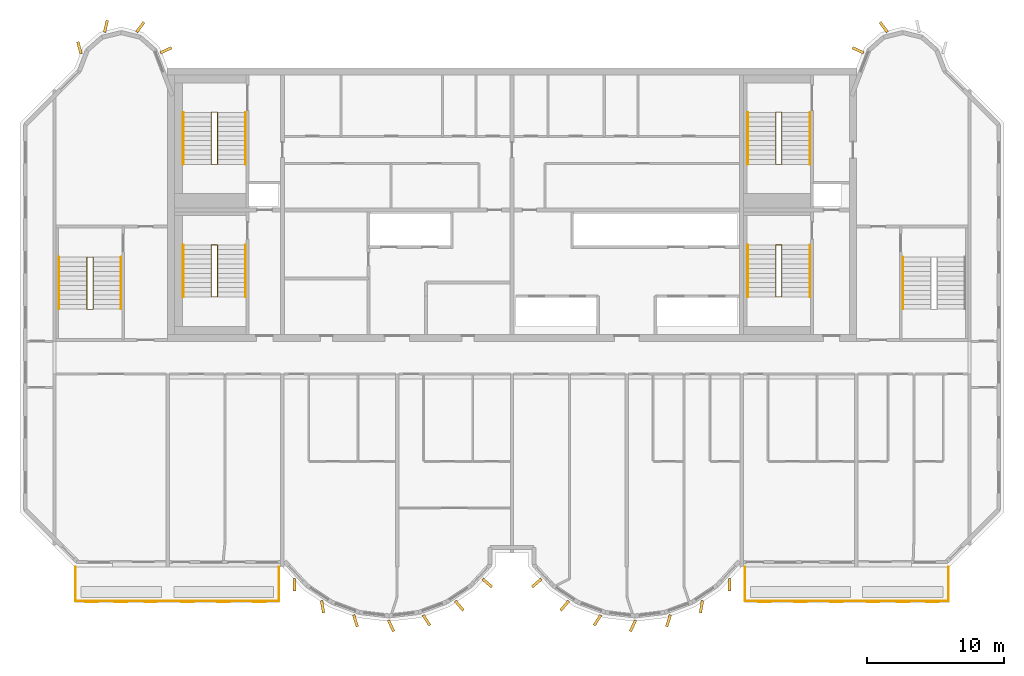
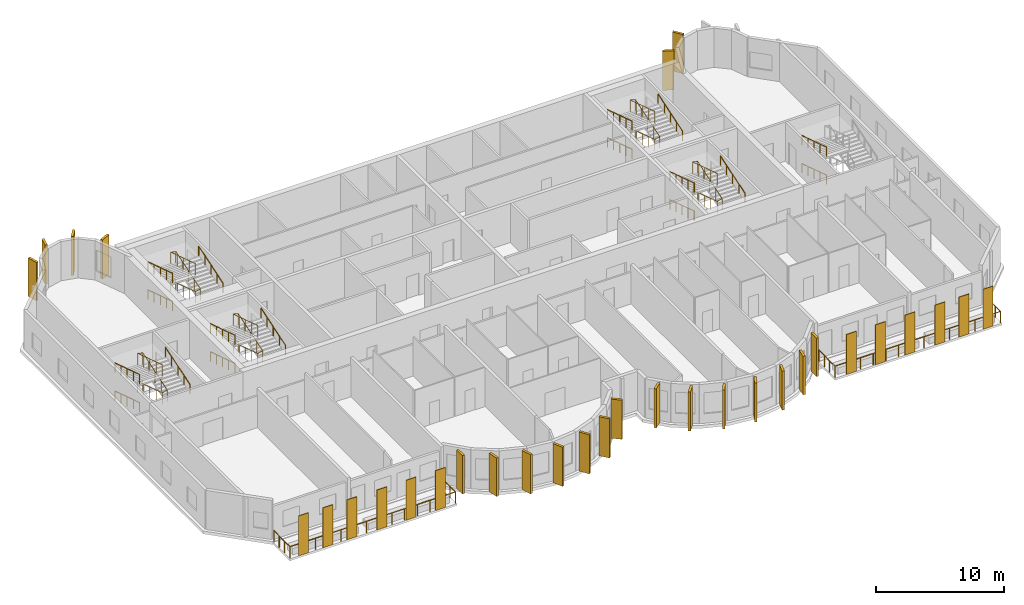
# One storey, part 10 of 12: 32 coverings, 24 railings.
"""IFC4 building model written with IfcOpenShell, lengths in metres."""

from ifc_helpers import new_model, si_unit, direction, frame, origin, origin_2d, place, context, subcontext, project, spatial, rectangle, circle, extrude, source, transform, mapped, material, layer, layer_set, material_profile, profile_set, type_object, element, save


model = new_model("IFC4")

# Units and contexts
model_context = context("Model", 3, precision=1e-05, world=origin(), true_north=direction((0.0, 1.0)))
body_context = subcontext(model_context, "Body", "Model", "MODEL_VIEW")
ifc_project = project(units=[si_unit("LENGTHUNIT", "METRE"), si_unit("AREAUNIT", "SQUARE_METRE"), si_unit("VOLUMEUNIT", "CUBIC_METRE"), si_unit("PLANEANGLEUNIT", "RADIAN"), si_unit("MASSUNIT", "GRAM", prefix="KILO")], contexts=[model_context])

# Site, building, storey
site_placement = place(None, origin())
site = spatial("IfcSite", under=ifc_project, at=site_placement, CompositionType="ELEMENT")
building_placement = place(site_placement, origin())
building = spatial("IfcBuilding", under=site, at=building_placement, Name="Vanashikhar Sky Hotel", CompositionType="ELEMENT")
storey_placement = place(building_placement, frame((0.0, 0.0, 309.699951171875)))
storey = spatial("IfcBuildingStorey", under=building, at=storey_placement, Name="L74", CompositionType="ELEMENT", Elevation=309.699951171875)

# Railings
ifc_material_1 = material(Name="Stainless steel 316", Category="steel")
railing_type_1 = type_object("IfcRailingType", Name="Balcony guard 1100", PredefinedType="GUARDRAIL", material=ifc_material_1)
shared_shape_1 = source(origin(), body_context, "Body", "SweptSolid", [
    extrude(circle(Radius=0.02392578125, at=origin_2d()), frame((0.0, 0.0, 1.076171875), z_axis=(0.0, -1.0, 0.0), x_axis=(1.0, 0.0, 0.0)), (0.0, 0.0, 1.0), 2.5),
    extrude(circle(Radius=0.02392578125, at=origin_2d()), frame((0.0, -2.5, 1.076171875), z_axis=(1.0, 0.0, 0.0), x_axis=(0.0, 1.0, 0.0)), (0.0, 0.0, 1.0), 14.880126953125),
    extrude(circle(Radius=0.02392578125, at=origin_2d()), frame((14.880126953125, -2.5, 1.076171875), z_axis=(0.0, 1.0, 0.0), x_axis=(-1.0, 0.0, 0.0)), (0.0, 0.0, 1.0), 2.5),
    extrude(circle(Radius=0.02099609375, at=origin_2d()), origin(), (0.0, 0.0, 1.0), 1.052001953125),
    extrude(circle(Radius=0.02099609375, at=origin_2d()), frame((0.0, -0.833251953125, 0.0)), (0.0, 0.0, 1.0), 1.052001953125),
    extrude(circle(Radius=0.02099609375, at=origin_2d()), frame((0.0, -1.666748046875, 0.0)), (0.0, 0.0, 1.0), 1.052001953125),
    extrude(circle(Radius=0.02099609375, at=origin_2d()), frame((0.0, -2.5, 0.0)), (0.0, 0.0, 1.0), 1.052001953125),
    extrude(circle(Radius=0.02099609375, at=origin_2d()), frame((1.14453125, -2.5, 0.0)), (0.0, 0.0, 1.0), 1.052001953125),
    extrude(circle(Radius=0.02099609375, at=origin_2d()), frame((2.289306640625, -2.5, 0.0)), (0.0, 0.0, 1.0), 1.052001953125),
    extrude(circle(Radius=0.02099609375, at=origin_2d()), frame((3.433837890625, -2.5, 0.0)), (0.0, 0.0, 1.0), 1.052001953125),
    extrude(circle(Radius=0.02099609375, at=origin_2d()), frame((4.57861328125, -2.5, 0.0)), (0.0, 0.0, 1.0), 1.052001953125),
    extrude(circle(Radius=0.02099609375, at=origin_2d()), frame((5.72314453125, -2.5, 0.0)), (0.0, 0.0, 1.0), 1.052001953125),
    extrude(circle(Radius=0.02099609375, at=origin_2d()), frame((6.86767578125, -2.5, 0.0)), (0.0, 0.0, 1.0), 1.052001953125),
    extrude(circle(Radius=0.02099609375, at=origin_2d()), frame((8.012451171875, -2.5, 0.0)), (0.0, 0.0, 1.0), 1.052001953125),
    extrude(circle(Radius=0.02099609375, at=origin_2d()), frame((9.156982421875, -2.5, 0.0)), (0.0, 0.0, 1.0), 1.052001953125),
    extrude(circle(Radius=0.02099609375, at=origin_2d()), frame((10.301513671875, -2.5, 0.0)), (0.0, 0.0, 1.0), 1.052001953125),
    extrude(circle(Radius=0.02099609375, at=origin_2d()), frame((11.4462890625, -2.5, 0.0)), (0.0, 0.0, 1.0), 1.052001953125),
    extrude(circle(Radius=0.02099609375, at=origin_2d()), frame((12.5908203125, -2.5, 0.0)), (0.0, 0.0, 1.0), 1.052001953125),
    extrude(circle(Radius=0.02099609375, at=origin_2d()), frame((13.735595703125, -2.5, 0.0)), (0.0, 0.0, 1.0), 1.052001953125),
    extrude(circle(Radius=0.02099609375, at=origin_2d()), frame((14.880126953125, -2.5, 0.0)), (0.0, 0.0, 1.0), 1.052001953125),
    extrude(circle(Radius=0.02099609375, at=origin_2d()), frame((14.880126953125, -1.666748046875, 0.0)), (0.0, 0.0, 1.0), 1.052001953125),
    extrude(circle(Radius=0.02099609375, at=origin_2d()), frame((14.880126953125, -0.833251953125, 0.0)), (0.0, 0.0, 1.0), 1.052001953125),
    extrude(circle(Radius=0.02099609375, at=origin_2d()), frame((14.880126953125, 0.0, 0.0)), (0.0, 0.0, 1.0), 1.052001953125),
])
for number, where, name in (
    (1, (18.4599609375, 5.5, -0.050048828125), "Balcony guard"),
    (2, (67.4599609375, 5.5, -0.050048828125), "Balcony guard"),
):
    element("IfcRailing", number, at=place(storey_placement, frame(where)), inside=storey, type_object=railing_type_1, Name=name, PredefinedType="GUARDRAIL", context=body_context, shape_type="MappedRepresentation", body=[
        mapped(shared_shape_1, transform((0.0, 0.0, 0.0), scale=1.0)),
    ])

# Coverings
ifc_material_2 = material(Name="Terracotta", Category="masonry")
ifc_layer = layer(ifc_material_2, 0.06005859375)
ifc_layer_set = layer_set([ifc_layer], Name="Terracotta baguette screen")
covering_type_1 = type_object("IfcCoveringType", Name="Terracotta baguette screen", PredefinedType="CLADDING", material=ifc_layer_set)
shared_shape_2 = source(origin(), body_context, "Body", "SweptSolid", [
    extrude(rectangle(XDim=0.89990234375, YDim=0.06005859375, at=origin_2d()), origin(), (0.0, 0.0, 1.0), 3.800048828125),
])
for number, where, z_axis, x_axis, name in (
    (3, (19.63330078125, 2.929931640625, -0.0498046875), (0.0, 0.0, 1.0), (1.0, 0.0, 0.0), "Terracotta screen"),
    (4, (21.800048828125, 2.929931640625, -0.0498046875), (0.0, 0.0, 1.0), (1.0, 0.0, 0.0), "Terracotta screen"),
    (5, (23.966796875, 2.929931640625, -0.0498046875), (0.0, 0.0, 1.0), (1.0, 0.0, 0.0), "Terracotta screen"),
    (6, (26.666748046875, 2.929931640625, -0.0498046875), (0.0, 0.0, 1.0), (1.0, 0.0, 0.0), "Terracotta screen"),
    (7, (29.300048828125, 2.929931640625, -0.0498046875), (0.0, 0.0, 1.0), (1.0, 0.0, 0.0), "Terracotta screen"),
    (8, (31.933349609375, 2.929931640625, -0.0498046875), (0.0, 0.0, 1.0), (1.0, 0.0, 0.0), "Terracotta screen"),
    (9, (68.86669921875, 2.929931640625, -0.0498046875), (0.0, 0.0, 1.0), (1.0, 0.0, 0.0), "Terracotta screen"),
    (10, (71.5, 2.929931640625, -0.0498046875), (0.0, 0.0, 1.0), (1.0, 0.0, 0.0), "Terracotta screen"),
    (11, (74.13330078125, 2.929931640625, -0.0498046875), (0.0, 0.0, 1.0), (1.0, 0.0, 0.0), "Terracotta screen"),
    (12, (76.833251953125, 2.929931640625, -0.0498046875), (0.0, 0.0, 1.0), (1.0, 0.0, 0.0), "Terracotta screen"),
    (13, (79.0, 2.929931640625, -0.0498046875), (0.0, 0.0, 1.0), (1.0, 0.0, 0.0), "Terracotta screen"),
    (14, (81.166748046875, 2.929931640625, -0.0498046875), (0.0, 0.0, 1.0), (1.0, 0.0, 0.0), "Terracotta screen"),
):
    element("IfcCovering", number, at=place(storey_placement, frame(where, z_axis=z_axis, x_axis=x_axis)), inside=storey, type_object=covering_type_1, Name=name, PredefinedType="CLADDING", context=body_context, shape_type="MappedRepresentation", body=[
        mapped(shared_shape_2, transform((0.0, 0.0, 0.0), scale=1.0)),
    ])
ifc_material_3 = material(Name="Concrete M60 dark", Category="concrete")
ifc_material_profile = material_profile(ifc_material_3, rectangle(XDim=0.89990234375, YDim=0.199951171875, at=origin_2d()))
ifc_profile_set = profile_set([ifc_material_profile], Name="Crown fin 900 x 200")
covering_type_2 = type_object("IfcCoveringType", Name="Crown fin 900 x 200", PredefinedType="CLADDING", material=ifc_profile_set)
shared_shape_3 = source(origin(), body_context, "Body", "SweptSolid", [
    extrude(rectangle(XDim=0.89990234375, YDim=0.199951171875, at=origin_2d()), origin(), (0.0, 0.0, 1.0), 3.719970703125),
])
for number, where, z_axis, x_axis, name in (
    (15, (38.947509765625, 1.547607421875, 0.0), (0.0, 0.0, 1.0), (0.303966551867, -0.952682704444, 0.0), "Fin F1-3"),
    (16, (41.5478515625, 1.182861328125, 0.0), (0.0, 0.0, 1.0), (0.422618261741, -0.906307787037, 0.0), "Fin F1-4"),
    (17, (44.14501953125, 1.585205078125, 0.0), (0.0, 0.0, 1.0), (0.534411358496, -0.845224526331, 0.0), "Fin F1-5"),
    (18, (46.547119140625, 2.652587890625, 0.0), (0.0, 0.0, 1.0), (0.645697609467, -0.763593214433, 0.0), "Fin F1-6"),
    (19, (48.589599609375, 4.31494140625, 0.0), (0.0, 0.0, 1.0), (0.758543912032, -0.65162192529, 0.0), "Fin F1-7"),
    (20, (52.21044921875, 4.31494140625, 0.0), (0.0, 0.0, 1.0), (-0.758543912032, -0.65162192529, 0.0), "Fin F2-1"),
    (21, (54.2529296875, 2.652587890625, 0.0), (0.0, 0.0, 1.0), (-0.645697609467, -0.763593214433, 0.0), "Fin F2-2"),
    (22, (56.654052734375, 1.585205078125, 0.0), (0.0, 0.0, 1.0), (-0.534411358496, -0.845224526331, 0.0), "Fin F2-3"),
    (23, (59.252197265625, 1.182861328125, 0.0), (0.0, 0.0, 1.0), (-0.422618261741, -0.906307787037, 0.0), "Fin F2-4"),
    (24, (61.8515625, 1.547607421875, 0.0), (0.0, 0.0, 1.0), (-0.303966551867, -0.952682704444, 0.0), "Fin F2-5"),
    (25, (20.6875, 45.048095703125, 0.0), (0.0, 0.0, 1.0), (0.224644935864, 0.974440687159, 0.0), "Fin R1-2"),
    (26, (23.20166015625, 44.986572265625, 0.0), (0.0, 0.0, 1.0), (0.602065892195, 0.798446404874, 0.0), "Fin R1-3"),
    (27, (25.078857421875, 43.29248046875, 0.0), (0.0, 0.0, 1.0), (0.908004291068, 0.418960866193, 0.0), "Fin R1-4"),
    (28, (75.72119140625, 43.29248046875, 0.0), (0.0, 0.0, 1.0), (-0.908004291068, 0.418960866193, 0.0), "Fin R2-1"),
    (29, (77.598388671875, 44.986572265625, 0.0), (0.0, 0.0, 1.0), (-0.602065892195, 0.798446404874, 0.0), "Fin R2-2"),
):
    element("IfcCovering", number, at=place(storey_placement, frame(where, z_axis=z_axis, x_axis=x_axis)), inside=storey, type_object=covering_type_2, Name=name, PredefinedType="CLADDING", context=body_context, shape_type="MappedRepresentation", body=[
        mapped(shared_shape_3, transform((0.0, 0.0, 0.0), scale=1.0)),
    ])
shared_shape_4 = source(origin(), body_context, "Body", "SweptSolid", [
    extrude(rectangle(XDim=0.89990234375, YDim=0.199951171875, at=origin_2d()), origin(), (0.0, 0.0, 1.0), 3.650146484375),
])
for number, where, z_axis, x_axis, name in (
    (30, (34.47998046875, 4.193115234375, 0.0), (0.0, 0.0, 1.0), (0.011588726826, -0.999932848451, 0.0), "Fin F1-1"),
    (31, (36.53857421875, 2.5751953125, 0.0), (0.0, 0.0, 1.0), (0.16989991575, -0.985461322746, 0.0), "Fin F1-2"),
    (32, (64.261474609375, 2.5751953125, 0.0), (0.0, 0.0, 1.0), (-0.16989991575, -0.985461322746, 0.0), "Fin F2-6"),
    (33, (66.31982421875, 4.193115234375, 0.0), (0.0, 0.0, 1.0), (-0.011588726826, -0.999932848451, 0.0), "Fin F2-7"),
    (34, (18.7470703125, 43.483642578125, 0.0), (0.0, 0.0, 1.0), (-0.262711264409, 0.964874495234, 0.0), "Fin R1-1"),
):
    element("IfcCovering", number, at=place(storey_placement, frame(where, z_axis=z_axis, x_axis=x_axis)), inside=storey, type_object=covering_type_2, Name=name, PredefinedType="CLADDING", context=body_context, shape_type="MappedRepresentation", body=[
        mapped(shared_shape_4, transform((0.0, 0.0, 0.0), scale=1.0)),
    ])

# Railings
ifc_material_4 = material(Name="Steel S355", Category="steel")
railing_type_2 = type_object("IfcRailingType", Name="Stair guard 1100", PredefinedType="GUARDRAIL", material=ifc_material_4)
shared_shape_5 = source(origin(), body_context, "Body", "SweptSolid", [
    extrude(circle(Radius=0.02392578125, at=origin_2d()), frame((0.0, 0.0, 1.076171875), z_axis=(-0.970881249867, 0.0, 0.239561262847), x_axis=(0.0, -1.0, 0.0)), (0.0, 0.0, 1.0), 0.463623046875),
    extrude(circle(Radius=0.02392578125, at=origin_2d()), frame((-0.4501953125, 0.0, 1.18701171875), z_axis=(0.0, -0.95195790124, 0.306228924607), x_axis=(1.0, 0.0, 0.0)), (0.0, 0.0, 1.0), 3.991943359375),
    extrude(circle(Radius=0.02392578125, at=origin_2d()), frame((-0.4501953125, -3.800048828125, 2.40966796875), z_axis=(0.970881249867, 0.0, 0.239561262847), x_axis=(0.0, 1.0, 0.0)), (0.0, 0.0, 1.0), 0.463623046875),
    extrude(circle(Radius=0.02392578125, at=origin_2d()), frame((0.0, -3.800048828125, 2.5205078125), z_axis=(0.0, 0.95197572919, 0.306173498254), x_axis=(-1.0, 0.0, 0.0)), (0.0, 0.0, 1.0), 3.99169921875),
    extrude(circle(Radius=0.02392578125, at=origin_2d()), frame((0.0, 0.0, 3.74267578125), z_axis=(-0.970881249867, 0.0, 0.239561262847), x_axis=(0.0, -1.0, 0.0)), (0.0, 0.0, 1.0), 0.463623046875),
    extrude(circle(Radius=0.02392578125, at=origin_2d()), frame((-0.4501953125, 0.0, 3.85400390625), z_axis=(0.0, -0.95197572919, 0.306173498254), x_axis=(1.0, 0.0, 0.0)), (0.0, 0.0, 1.0), 3.99169921875),
    extrude(circle(Radius=0.02099609375, at=origin_2d()), origin(), (0.0, 0.0, 1.0), 1.052001953125),
    extrude(circle(Radius=0.02099609375, at=origin_2d()), frame((-0.4501953125, 0.0, 0.111083984375)), (0.0, 0.0, 1.0), 1.052001953125),
    extrude(circle(Radius=0.02099609375, at=origin_2d()), frame((-0.4501953125, -0.949951171875, 0.416748046875)), (0.0, 0.0, 1.0), 1.052001953125),
    extrude(circle(Radius=0.02099609375, at=origin_2d()), frame((-0.4501953125, -1.89990234375, 0.72216796875)), (0.0, 0.0, 1.0), 1.052001953125),
    extrude(circle(Radius=0.02099609375, at=origin_2d()), frame((-0.4501953125, -2.85009765625, 1.02783203125)), (0.0, 0.0, 1.0), 1.052001953125),
    extrude(circle(Radius=0.02099609375, at=origin_2d()), frame((-0.4501953125, -3.800048828125, 1.33349609375)), (0.0, 0.0, 1.0), 1.052001953125),
    extrude(circle(Radius=0.02099609375, at=origin_2d()), frame((0.0, -3.800048828125, 1.444580078125)), (0.0, 0.0, 1.0), 1.052001953125),
    extrude(circle(Radius=0.02099609375, at=origin_2d()), frame((0.0, -2.85009765625, 1.75)), (0.0, 0.0, 1.0), 1.052001953125),
    extrude(circle(Radius=0.02099609375, at=origin_2d()), frame((0.0, -1.89990234375, 2.0556640625)), (0.0, 0.0, 1.0), 1.052001953125),
    extrude(circle(Radius=0.02099609375, at=origin_2d()), frame((0.0, -0.949951171875, 2.361328125)), (0.0, 0.0, 1.0), 1.052001953125),
    extrude(circle(Radius=0.02099609375, at=origin_2d()), frame((0.0, 0.0, 2.666748046875)), (0.0, 0.0, 1.0), 1.052001953125),
    extrude(circle(Radius=0.02099609375, at=origin_2d()), frame((-0.4501953125, 0.0, 2.77783203125)), (0.0, 0.0, 1.0), 1.052001953125),
    extrude(circle(Radius=0.02099609375, at=origin_2d()), frame((-0.4501953125, -0.949951171875, 3.08349609375)), (0.0, 0.0, 1.0), 1.052001953125),
    extrude(circle(Radius=0.02099609375, at=origin_2d()), frame((-0.4501953125, -1.89990234375, 3.388916015625)), (0.0, 0.0, 1.0), 1.052001953125),
    extrude(circle(Radius=0.02099609375, at=origin_2d()), frame((-0.4501953125, -2.85009765625, 3.6943359375)), (0.0, 0.0, 1.0), 1.052001953125),
    extrude(circle(Radius=0.02099609375, at=origin_2d()), frame((-0.4501953125, -3.800048828125, 4.0)), (0.0, 0.0, 1.0), 1.052001953125),
])
for number, where, name in (
    (35, (28.85009765625, 29.050048828125, 0.0), "Exit stair 1 guard"),
    (36, (28.85009765625, 38.75, 0.0), "Exit stair 5 guard"),
):
    element("IfcRailing", number, at=place(storey_placement, frame(where)), inside=storey, type_object=railing_type_2, Name=name, PredefinedType="GUARDRAIL", context=body_context, shape_type="MappedRepresentation", body=[
        mapped(shared_shape_5, transform((0.0, 0.0, 0.0), scale=1.0)),
    ])
railing_type_3 = type_object("IfcRailingType", Name="Stair handrail 900", PredefinedType="HANDRAIL", material=ifc_material_4)
shared_shape_6 = source(origin(), body_context, "Body", "SweptSolid", [
    extrude(circle(Radius=0.02392578125, at=origin_2d()), frame((0.0, 0.0, 0.8759765625), z_axis=(0.0, -0.95195790124, 0.306228924607), x_axis=(1.0, 0.0, 0.0)), (0.0, 0.0, 1.0), 3.991943359375),
    extrude(circle(Radius=0.02099609375, at=origin_2d()), origin(), (0.0, 0.0, 1.0), 0.851806640625),
    extrude(circle(Radius=0.02099609375, at=origin_2d()), frame((0.0, -0.949951171875, 0.3056640625)), (0.0, 0.0, 1.0), 0.851806640625),
    extrude(circle(Radius=0.02099609375, at=origin_2d()), frame((0.0, -1.89990234375, 0.611328125)), (0.0, 0.0, 1.0), 0.851806640625),
    extrude(circle(Radius=0.02099609375, at=origin_2d()), frame((0.0, -2.85009765625, 0.916748046875)), (0.0, 0.0, 1.0), 0.851806640625),
    extrude(circle(Radius=0.02099609375, at=origin_2d()), frame((0.0, -3.800048828125, 1.222412109375)), (0.0, 0.0, 1.0), 0.851806640625),
])
for number, where, name in (
    (37, (26.35009765625, 29.050048828125, 0.111083984375), "Exit stair 1 handrail"),
    (38, (67.64990234375, 29.050048828125, 0.111083984375), "Exit stair 2 handrail"),
    (39, (26.35009765625, 38.75, 0.111083984375), "Exit stair 5 handrail"),
    (40, (67.64990234375, 38.75, 0.111083984375), "Exit stair 6 handrail"),
):
    element("IfcRailing", number, at=place(storey_placement, frame(where)), inside=storey, type_object=railing_type_3, Name=name, PredefinedType="HANDRAIL", context=body_context, shape_type="MappedRepresentation", body=[
        mapped(shared_shape_6, transform((0.0, 0.0, 0.0), scale=1.0)),
    ])
shared_shape_7 = source(origin(), body_context, "Body", "SweptSolid", [
    extrude(circle(Radius=0.02392578125, at=origin_2d()), frame((0.0, 0.0, 0.8759765625), z_axis=(0.0, 0.95197572919, 0.306173498254), x_axis=(-1.0, 0.0, 0.0)), (0.0, 0.0, 1.0), 3.99169921875),
    extrude(circle(Radius=0.02099609375, at=origin_2d()), origin(), (0.0, 0.0, 1.0), 0.851806640625),
    extrude(circle(Radius=0.02099609375, at=origin_2d()), frame((0.0, 0.949951171875, 0.3056640625)), (0.0, 0.0, 1.0), 0.851806640625),
    extrude(circle(Radius=0.02099609375, at=origin_2d()), frame((0.0, 1.89990234375, 0.611083984375)), (0.0, 0.0, 1.0), 0.851806640625),
    extrude(circle(Radius=0.02099609375, at=origin_2d()), frame((0.0, 2.85009765625, 0.91650390625)), (0.0, 0.0, 1.0), 0.851806640625),
    extrude(circle(Radius=0.02099609375, at=origin_2d()), frame((0.0, 3.800048828125, 1.22216796875)), (0.0, 0.0, 1.0), 0.851806640625),
])
for number, where, name in (
    (41, (30.89990234375, 25.25, 1.444580078125), "Exit stair 1 handrail"),
    (42, (72.199951171875, 25.25, 1.444580078125), "Exit stair 2 handrail"),
    (43, (30.89990234375, 34.949951171875, 1.444580078125), "Exit stair 5 handrail"),
    (44, (72.199951171875, 34.949951171875, 1.444580078125), "Exit stair 6 handrail"),
):
    element("IfcRailing", number, at=place(storey_placement, frame(where)), inside=storey, type_object=railing_type_3, Name=name, PredefinedType="HANDRAIL", context=body_context, shape_type="MappedRepresentation", body=[
        mapped(shared_shape_7, transform((0.0, 0.0, 0.0), scale=1.0)),
    ])
shared_shape_8 = source(origin(), body_context, "Body", "SweptSolid", [
    extrude(circle(Radius=0.02392578125, at=origin_2d()), frame((0.0, 0.0, 0.8759765625), z_axis=(0.0, -0.95197572919, 0.306173498254), x_axis=(1.0, 0.0, 0.0)), (0.0, 0.0, 1.0), 3.99169921875),
    extrude(circle(Radius=0.02099609375, at=origin_2d()), origin(), (0.0, 0.0, 1.0), 0.851806640625),
    extrude(circle(Radius=0.02099609375, at=origin_2d()), frame((0.0, -0.949951171875, 0.3056640625)), (0.0, 0.0, 1.0), 0.851806640625),
    extrude(circle(Radius=0.02099609375, at=origin_2d()), frame((0.0, -1.89990234375, 0.611083984375)), (0.0, 0.0, 1.0), 0.851806640625),
    extrude(circle(Radius=0.02099609375, at=origin_2d()), frame((0.0, -2.85009765625, 0.91650390625)), (0.0, 0.0, 1.0), 0.851806640625),
    extrude(circle(Radius=0.02099609375, at=origin_2d()), frame((0.0, -3.800048828125, 1.22216796875)), (0.0, 0.0, 1.0), 0.851806640625),
])
for number, where, name in (
    (45, (26.35009765625, 29.050048828125, 2.77783203125), "Exit stair 1 handrail"),
    (46, (67.64990234375, 29.050048828125, 2.77783203125), "Exit stair 2 handrail"),
    (47, (26.35009765625, 38.75, 2.77783203125), "Exit stair 5 handrail"),
    (48, (67.64990234375, 38.75, 2.77783203125), "Exit stair 6 handrail"),
):
    element("IfcRailing", number, at=place(storey_placement, frame(where)), inside=storey, type_object=railing_type_3, Name=name, PredefinedType="HANDRAIL", context=body_context, shape_type="MappedRepresentation", body=[
        mapped(shared_shape_8, transform((0.0, 0.0, 0.0), scale=1.0)),
    ])
shared_shape_9 = source(origin(), body_context, "Body", "SweptSolid", [
    extrude(circle(Radius=0.02392578125, at=origin_2d()), frame((0.0, 0.0, 1.076171875), z_axis=(-0.970851010584, 0.0, 0.239683781777), x_axis=(0.0, -1.0, 0.0)), (0.0, 0.0, 1.0), 0.46337890625),
    extrude(circle(Radius=0.02392578125, at=origin_2d()), frame((-0.449951171875, 0.0, 1.18701171875), z_axis=(0.0, -0.95195790124, 0.306228924607), x_axis=(1.0, 0.0, 0.0)), (0.0, 0.0, 1.0), 3.991943359375),
    extrude(circle(Radius=0.02392578125, at=origin_2d()), frame((-0.449951171875, -3.800048828125, 2.40966796875), z_axis=(0.970851010584, 0.0, 0.239683781777), x_axis=(0.0, 1.0, 0.0)), (0.0, 0.0, 1.0), 0.46337890625),
    extrude(circle(Radius=0.02392578125, at=origin_2d()), frame((0.0, -3.800048828125, 2.5205078125), z_axis=(0.0, 0.95197572919, 0.306173498254), x_axis=(-1.0, 0.0, 0.0)), (0.0, 0.0, 1.0), 3.99169921875),
    extrude(circle(Radius=0.02392578125, at=origin_2d()), frame((0.0, 0.0, 3.74267578125), z_axis=(-0.970851010584, 0.0, 0.239683781777), x_axis=(0.0, -1.0, 0.0)), (0.0, 0.0, 1.0), 0.46337890625),
    extrude(circle(Radius=0.02392578125, at=origin_2d()), frame((-0.449951171875, 0.0, 3.85400390625), z_axis=(0.0, -0.95197572919, 0.306173498254), x_axis=(1.0, 0.0, 0.0)), (0.0, 0.0, 1.0), 3.99169921875),
    extrude(circle(Radius=0.02099609375, at=origin_2d()), origin(), (0.0, 0.0, 1.0), 1.052001953125),
    extrude(circle(Radius=0.02099609375, at=origin_2d()), frame((-0.449951171875, 0.0, 0.111083984375)), (0.0, 0.0, 1.0), 1.052001953125),
    extrude(circle(Radius=0.02099609375, at=origin_2d()), frame((-0.449951171875, -0.949951171875, 0.416748046875)), (0.0, 0.0, 1.0), 1.052001953125),
    extrude(circle(Radius=0.02099609375, at=origin_2d()), frame((-0.449951171875, -1.89990234375, 0.72216796875)), (0.0, 0.0, 1.0), 1.052001953125),
    extrude(circle(Radius=0.02099609375, at=origin_2d()), frame((-0.449951171875, -2.85009765625, 1.02783203125)), (0.0, 0.0, 1.0), 1.052001953125),
    extrude(circle(Radius=0.02099609375, at=origin_2d()), frame((-0.449951171875, -3.800048828125, 1.33349609375)), (0.0, 0.0, 1.0), 1.052001953125),
    extrude(circle(Radius=0.02099609375, at=origin_2d()), frame((0.0, -3.800048828125, 1.444580078125)), (0.0, 0.0, 1.0), 1.052001953125),
    extrude(circle(Radius=0.02099609375, at=origin_2d()), frame((0.0, -2.85009765625, 1.75)), (0.0, 0.0, 1.0), 1.052001953125),
    extrude(circle(Radius=0.02099609375, at=origin_2d()), frame((0.0, -1.89990234375, 2.0556640625)), (0.0, 0.0, 1.0), 1.052001953125),
    extrude(circle(Radius=0.02099609375, at=origin_2d()), frame((0.0, -0.949951171875, 2.361328125)), (0.0, 0.0, 1.0), 1.052001953125),
    extrude(circle(Radius=0.02099609375, at=origin_2d()), frame((0.0, 0.0, 2.666748046875)), (0.0, 0.0, 1.0), 1.052001953125),
    extrude(circle(Radius=0.02099609375, at=origin_2d()), frame((-0.449951171875, 0.0, 2.77783203125)), (0.0, 0.0, 1.0), 1.052001953125),
    extrude(circle(Radius=0.02099609375, at=origin_2d()), frame((-0.449951171875, -0.949951171875, 3.08349609375)), (0.0, 0.0, 1.0), 1.052001953125),
    extrude(circle(Radius=0.02099609375, at=origin_2d()), frame((-0.449951171875, -1.89990234375, 3.388916015625)), (0.0, 0.0, 1.0), 1.052001953125),
    extrude(circle(Radius=0.02099609375, at=origin_2d()), frame((-0.449951171875, -2.85009765625, 3.6943359375)), (0.0, 0.0, 1.0), 1.052001953125),
    extrude(circle(Radius=0.02099609375, at=origin_2d()), frame((-0.449951171875, -3.800048828125, 4.0)), (0.0, 0.0, 1.0), 1.052001953125),
])
for number, where, name in (
    (49, (70.14990234375, 29.050048828125, 0.0), "Exit stair 2 guard"),
    (50, (70.14990234375, 38.75, 0.0), "Exit stair 6 guard"),
):
    element("IfcRailing", number, at=place(storey_placement, frame(where)), inside=storey, type_object=railing_type_2, Name=name, PredefinedType="GUARDRAIL", context=body_context, shape_type="MappedRepresentation", body=[
        mapped(shared_shape_9, transform((0.0, 0.0, 0.0), scale=1.0)),
    ])
shared_shape_10 = source(origin(), body_context, "Body", "SweptSolid", [
    extrude(circle(Radius=0.02392578125, at=origin_2d()), frame((0.0, 0.0, 1.076171875), z_axis=(-0.970851010584, 0.0, 0.239683781777), x_axis=(0.0, -1.0, 0.0)), (0.0, 0.0, 1.0), 0.46337890625),
    extrude(circle(Radius=0.02392578125, at=origin_2d()), frame((-0.449951171875, 0.0, 1.18701171875), z_axis=(0.0, -0.951952165375, 0.306246754821), x_axis=(1.0, 0.0, 0.0)), (0.0, 0.0, 1.0), 3.99169921875),
    extrude(circle(Radius=0.02392578125, at=origin_2d()), frame((-0.449951171875, -3.7998046875, 2.40966796875), z_axis=(0.970851010584, 0.0, 0.239683781777), x_axis=(0.0, 1.0, 0.0)), (0.0, 0.0, 1.0), 0.46337890625),
    extrude(circle(Radius=0.02392578125, at=origin_2d()), frame((0.0, -3.7998046875, 2.5205078125), z_axis=(0.0, 0.951969995293, 0.306191325908), x_axis=(-1.0, 0.0, 0.0)), (0.0, 0.0, 1.0), 3.991455078125),
    extrude(circle(Radius=0.02392578125, at=origin_2d()), frame((0.0, 0.0, 3.74267578125), z_axis=(-0.970851010584, 0.0, 0.239683781777), x_axis=(0.0, -1.0, 0.0)), (0.0, 0.0, 1.0), 0.46337890625),
    extrude(circle(Radius=0.02392578125, at=origin_2d()), frame((-0.449951171875, 0.0, 3.85400390625), z_axis=(0.0, -0.951969995293, 0.306191325908), x_axis=(1.0, 0.0, 0.0)), (0.0, 0.0, 1.0), 3.991455078125),
    extrude(circle(Radius=0.02099609375, at=origin_2d()), origin(), (0.0, 0.0, 1.0), 1.052001953125),
    extrude(circle(Radius=0.02099609375, at=origin_2d()), frame((-0.449951171875, 0.0, 0.111083984375)), (0.0, 0.0, 1.0), 1.052001953125),
    extrude(circle(Radius=0.02099609375, at=origin_2d()), frame((-0.449951171875, -0.949951171875, 0.416748046875)), (0.0, 0.0, 1.0), 1.052001953125),
    extrude(circle(Radius=0.02099609375, at=origin_2d()), frame((-0.449951171875, -1.89990234375, 0.72216796875)), (0.0, 0.0, 1.0), 1.052001953125),
    extrude(circle(Radius=0.02099609375, at=origin_2d()), frame((-0.449951171875, -2.849853515625, 1.02783203125)), (0.0, 0.0, 1.0), 1.052001953125),
    extrude(circle(Radius=0.02099609375, at=origin_2d()), frame((-0.449951171875, -3.7998046875, 1.33349609375)), (0.0, 0.0, 1.0), 1.052001953125),
    extrude(circle(Radius=0.02099609375, at=origin_2d()), frame((0.0, -3.7998046875, 1.444580078125)), (0.0, 0.0, 1.0), 1.052001953125),
    extrude(circle(Radius=0.02099609375, at=origin_2d()), frame((0.0, -2.849853515625, 1.75)), (0.0, 0.0, 1.0), 1.052001953125),
    extrude(circle(Radius=0.02099609375, at=origin_2d()), frame((0.0, -1.89990234375, 2.0556640625)), (0.0, 0.0, 1.0), 1.052001953125),
    extrude(circle(Radius=0.02099609375, at=origin_2d()), frame((0.0, -0.949951171875, 2.361328125)), (0.0, 0.0, 1.0), 1.052001953125),
    extrude(circle(Radius=0.02099609375, at=origin_2d()), frame((0.0, 0.0, 2.666748046875)), (0.0, 0.0, 1.0), 1.052001953125),
    extrude(circle(Radius=0.02099609375, at=origin_2d()), frame((-0.449951171875, 0.0, 2.77783203125)), (0.0, 0.0, 1.0), 1.052001953125),
    extrude(circle(Radius=0.02099609375, at=origin_2d()), frame((-0.449951171875, -0.949951171875, 3.08349609375)), (0.0, 0.0, 1.0), 1.052001953125),
    extrude(circle(Radius=0.02099609375, at=origin_2d()), frame((-0.449951171875, -1.89990234375, 3.388916015625)), (0.0, 0.0, 1.0), 1.052001953125),
    extrude(circle(Radius=0.02099609375, at=origin_2d()), frame((-0.449951171875, -2.849853515625, 3.6943359375)), (0.0, 0.0, 1.0), 1.052001953125),
    extrude(circle(Radius=0.02099609375, at=origin_2d()), frame((-0.449951171875, -3.7998046875, 4.0)), (0.0, 0.0, 1.0), 1.052001953125),
])
railing_1_placement = place(storey_placement, frame((19.75, 28.14990234375, 0.0)))
element("IfcRailing", 51, at=railing_1_placement, inside=storey, type_object=railing_type_2, Name="Exit stair 3 guard", PredefinedType="GUARDRAIL", context=body_context, shape_type="MappedRepresentation", body=[
    mapped(shared_shape_10, transform((0.0, 0.0, 0.0), scale=1.0)),
])
shared_shape_11 = source(origin(), body_context, "Body", "SweptSolid", [
    extrude(circle(Radius=0.02392578125, at=origin_2d()), frame((0.0, 0.0, 0.8759765625), z_axis=(0.0, -0.951952165375, 0.306246754821), x_axis=(1.0, 0.0, 0.0)), (0.0, 0.0, 1.0), 3.99169921875),
    extrude(circle(Radius=0.02099609375, at=origin_2d()), origin(), (0.0, 0.0, 1.0), 0.851806640625),
    extrude(circle(Radius=0.02099609375, at=origin_2d()), frame((0.0, -0.949951171875, 0.3056640625)), (0.0, 0.0, 1.0), 0.851806640625),
    extrude(circle(Radius=0.02099609375, at=origin_2d()), frame((0.0, -1.89990234375, 0.611328125)), (0.0, 0.0, 1.0), 0.851806640625),
    extrude(circle(Radius=0.02099609375, at=origin_2d()), frame((0.0, -2.849853515625, 0.916748046875)), (0.0, 0.0, 1.0), 0.851806640625),
    extrude(circle(Radius=0.02099609375, at=origin_2d()), frame((0.0, -3.7998046875, 1.222412109375)), (0.0, 0.0, 1.0), 0.851806640625),
])
for number, where, name in (
    (52, (17.25, 28.14990234375, 0.111083984375), "Exit stair 3 handrail"),
    (53, (79.0, 28.14990234375, 0.111083984375), "Exit stair 4 handrail"),
):
    element("IfcRailing", number, at=place(storey_placement, frame(where)), inside=storey, type_object=railing_type_3, Name=name, PredefinedType="HANDRAIL", context=body_context, shape_type="MappedRepresentation", body=[
        mapped(shared_shape_11, transform((0.0, 0.0, 0.0), scale=1.0)),
    ])
shared_shape_12 = source(origin(), body_context, "Body", "SweptSolid", [
    extrude(circle(Radius=0.02392578125, at=origin_2d()), frame((0.0, 0.0, 0.8759765625), z_axis=(0.0, 0.951969995293, 0.306191325908), x_axis=(-1.0, 0.0, 0.0)), (0.0, 0.0, 1.0), 3.991455078125),
    extrude(circle(Radius=0.02099609375, at=origin_2d()), origin(), (0.0, 0.0, 1.0), 0.851806640625),
    extrude(circle(Radius=0.02099609375, at=origin_2d()), frame((0.0, 0.949951171875, 0.3056640625)), (0.0, 0.0, 1.0), 0.851806640625),
    extrude(circle(Radius=0.02099609375, at=origin_2d()), frame((0.0, 1.89990234375, 0.611083984375)), (0.0, 0.0, 1.0), 0.851806640625),
    extrude(circle(Radius=0.02099609375, at=origin_2d()), frame((0.0, 2.849853515625, 0.91650390625)), (0.0, 0.0, 1.0), 0.851806640625),
    extrude(circle(Radius=0.02099609375, at=origin_2d()), frame((0.0, 3.7998046875, 1.22216796875)), (0.0, 0.0, 1.0), 0.851806640625),
])
railing_2_placement = place(storey_placement, frame((21.800048828125, 24.35009765625, 1.444580078125)))
element("IfcRailing", 54, at=railing_2_placement, inside=storey, type_object=railing_type_3, Name="Exit stair 3 handrail", PredefinedType="HANDRAIL", context=body_context, shape_type="MappedRepresentation", body=[
    mapped(shared_shape_12, transform((0.0, 0.0, 0.0), scale=1.0)),
])
shared_shape_13 = source(origin(), body_context, "Body", "SweptSolid", [
    extrude(circle(Radius=0.02392578125, at=origin_2d()), frame((0.0, 0.0, 0.8759765625), z_axis=(0.0, -0.951969995293, 0.306191325908), x_axis=(1.0, 0.0, 0.0)), (0.0, 0.0, 1.0), 3.991455078125),
    extrude(circle(Radius=0.02099609375, at=origin_2d()), origin(), (0.0, 0.0, 1.0), 0.851806640625),
    extrude(circle(Radius=0.02099609375, at=origin_2d()), frame((0.0, -0.949951171875, 0.3056640625)), (0.0, 0.0, 1.0), 0.851806640625),
    extrude(circle(Radius=0.02099609375, at=origin_2d()), frame((0.0, -1.89990234375, 0.611083984375)), (0.0, 0.0, 1.0), 0.851806640625),
    extrude(circle(Radius=0.02099609375, at=origin_2d()), frame((0.0, -2.849853515625, 0.91650390625)), (0.0, 0.0, 1.0), 0.851806640625),
    extrude(circle(Radius=0.02099609375, at=origin_2d()), frame((0.0, -3.7998046875, 1.22216796875)), (0.0, 0.0, 1.0), 0.851806640625),
])
for number, where, name in (
    (55, (17.25, 28.14990234375, 2.77783203125), "Exit stair 3 handrail"),
    (56, (79.0, 28.14990234375, 2.77783203125), "Exit stair 4 handrail"),
):
    element("IfcRailing", number, at=place(storey_placement, frame(where)), inside=storey, type_object=railing_type_3, Name=name, PredefinedType="HANDRAIL", context=body_context, shape_type="MappedRepresentation", body=[
        mapped(shared_shape_13, transform((0.0, 0.0, 0.0), scale=1.0)),
    ])

save(model, "model.ifc")
